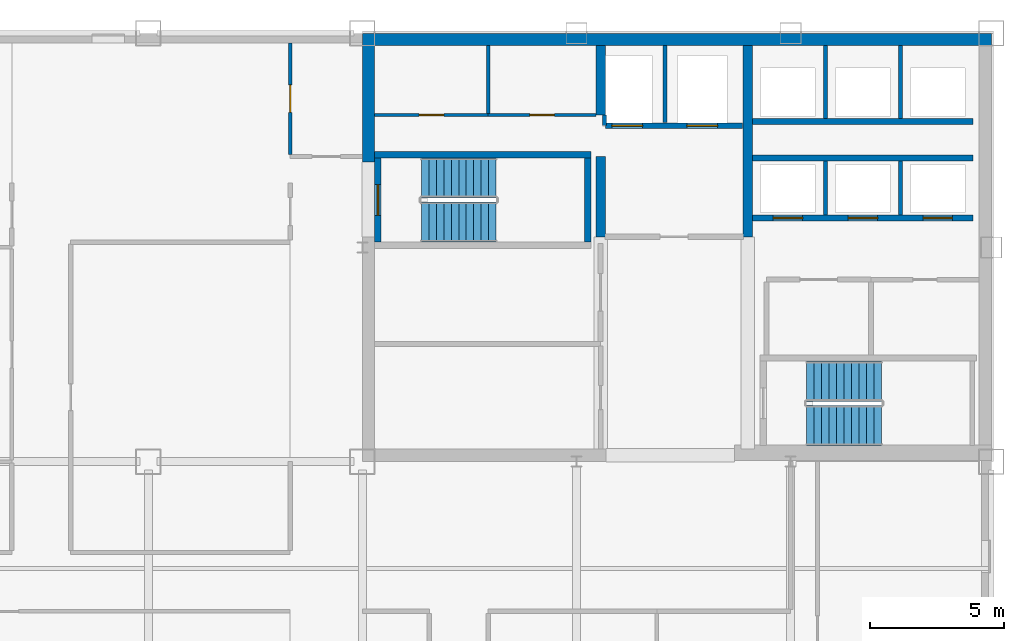
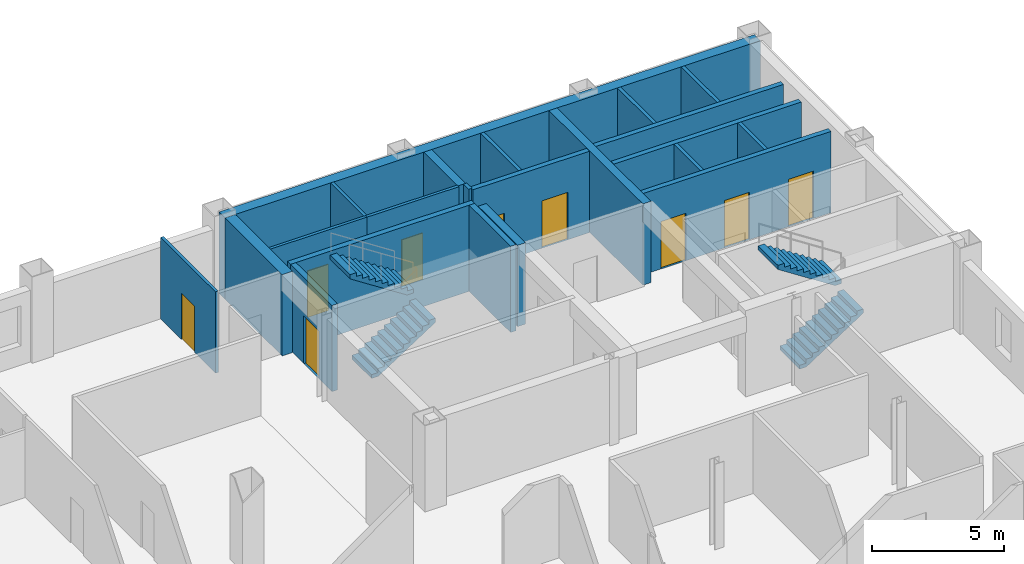
# One storey, part 6 of 10: 22 walls, 9 doors, 4 stair flights, 9 openings, 2 elements without a shape of their own.
"""IFC4 building model written with IfcOpenShell, lengths in metres."""

from ifc_helpers import new_model, si_unit, direction, frame, frame_2d, origin, place, context, subcontext, project, spatial, polyline, rectangle, outline, extrude, material, layer, layer_set, type_object, element, fill, aggregate, save


model = new_model("IFC4")

# Units and contexts
model_context = context("Model", 3, precision=1e-05, world=origin(), true_north=direction((0.0, 1.0)))
body_context = subcontext(model_context, "Body", "Model", "MODEL_VIEW")
ifc_project = project(units=[si_unit("LENGTHUNIT", "METRE"), si_unit("AREAUNIT", "SQUARE_METRE"), si_unit("VOLUMEUNIT", "CUBIC_METRE"), si_unit("PLANEANGLEUNIT", "RADIAN"), si_unit("MASSUNIT", "GRAM", prefix="KILO")], contexts=[model_context])

# Site, building, storey
site_placement = place(None, origin())
site = spatial("IfcSite", under=ifc_project, at=site_placement, CompositionType="ELEMENT")
building_placement = place(site_placement, origin())
building = spatial("IfcBuilding", under=site, at=building_placement, Name="Qianrong Seaharbour Tower", CompositionType="ELEMENT")
storey_placement = place(building_placement, frame((0.0, 0.0, 249.800048828125)))
storey = spatial("IfcBuildingStorey", under=building, at=storey_placement, Name="L60", CompositionType="ELEMENT", Elevation=249.800048828125)

# Walls
ifc_material_1 = material(Name="Concrete C60/75", Category="concrete")
ifc_layer_1 = layer(ifc_material_1, 0.4599609375)
ifc_layer_set_1 = layer_set([ifc_layer_1], Name="Concrete C60/75")
wall_type_1 = type_object("IfcWallType", Name="WALL-CORE-460", PredefinedType="SHEAR", material=ifc_layer_set_1)
wall_1_placement = place(storey_placement, frame((40.5, 51.77001953125, 0.0), z_axis=(0.0, 0.0, 1.0), x_axis=(1.0, 0.0, 0.0)))
element("IfcWall", 1, at=wall_1_placement, inside=storey, type_object=wall_type_1, Name="L60 North Core Shear Wall", PredefinedType="SHEAR", context=body_context, shape_type="SweptSolid", body=[
    extrude(rectangle(XDim=23.5, YDim=0.4599609375, at=frame_2d((11.75, 0.0))), origin(), (0.0, 0.0, 1.0), 3.77490234375),
])
wall_2_placement = place(storey_placement, frame((40.72998046875, 47.199951171875, 0.0), z_axis=(0.0, 0.0, 1.0), x_axis=(0.0, 1.0, 0.0)))
element("IfcWall", 2, at=wall_2_placement, inside=storey, type_object=wall_type_1, Name="L60 West Core Shear Wall North", PredefinedType="SHEAR", context=body_context, shape_type="SweptSolid", body=[
    extrude(rectangle(XDim=4.340087890625, YDim=0.4599609375, at=frame_2d((2.169921875, 0.0))), origin(), (0.0, 0.0, 1.0), 3.77490234375),
])
ifc_material_2 = material(Name="Concrete C50/60", Category="concrete")
ifc_layer_2 = layer(ifc_material_2, 0.35009765625)
ifc_layer_set_2 = layer_set([ifc_layer_2], Name="Concrete C50/60")
wall_type_2 = type_object("IfcWallType", Name="WALL-CORE-INT-350", PredefinedType="SHEAR", material=ifc_layer_set_2)
wall_3_placement = place(storey_placement, frame((49.39990234375, 44.39990234375, 0.0), z_axis=(0.0, 0.0, 1.0), x_axis=(0.0, 1.0, 0.0)))
element("IfcWall", 3, at=wall_3_placement, inside=storey, type_object=wall_type_2, Name="L60 Internal Core Shear Wall IW1N1", PredefinedType="SHEAR", context=body_context, shape_type="SweptSolid", body=[
    extrude(rectangle(XDim=3.0, YDim=0.35009765625, at=frame_2d((1.5, 0.0))), origin(), (0.0, 0.0, 1.0), 3.77490234375),
])
wall_4_placement = place(storey_placement, frame((49.39990234375, 48.949951171875, 0.0), z_axis=(0.0, 0.0, 1.0), x_axis=(0.0, 1.0, 0.0)))
element("IfcWall", 4, at=wall_4_placement, inside=storey, type_object=wall_type_2, Name="L60 Internal Core Shear Wall IW1N2", PredefinedType="SHEAR", context=body_context, shape_type="SweptSolid", body=[
    extrude(rectangle(XDim=2.590087890625, YDim=0.35009765625, at=frame_2d((1.294921875, 0.0))), origin(), (0.0, 0.0, 1.0), 3.77490234375),
])
wall_5_placement = place(storey_placement, frame((54.89990234375, 44.39990234375, 0.0), z_axis=(0.0, 0.0, 1.0), x_axis=(0.0, 1.0, 0.0)))
element("IfcWall", 5, at=wall_5_placement, inside=storey, type_object=wall_type_2, Name="L60 Internal Core Shear Wall IW2N", PredefinedType="SHEAR", context=body_context, shape_type="SweptSolid", body=[
    extrude(rectangle(XDim=7.14013671875, YDim=0.35009765625, at=frame_2d((3.570068359375, 0.0))), origin(), (0.0, 0.0, 1.0), 3.77490234375),
])
ifc_material_3 = material(Name="Fire-rated gypsum board on steel studs", Category="steel")
ifc_layer_3 = layer(ifc_material_3, 0.14990234375)
ifc_layer_set_3 = layer_set([ifc_layer_3], Name="Fire-rated gypsum board on steel studs")
wall_type_3 = type_object("IfcWallType", Name="WALL-SHAFT-DIV-150", PredefinedType="PARTITIONING", material=ifc_layer_set_3)
wall_6_placement = place(storey_placement, frame((51.800048828125, 48.669921875, 0.0), z_axis=(0.0, 0.0, 1.0), x_axis=(0.0, 1.0, 0.0)))
element("IfcWall", 6, at=wall_6_placement, inside=storey, type_object=wall_type_3, Name="L60 Firefighting Lift Shaft Divider Wall", PredefinedType="PARTITIONING", context=body_context, shape_type="SweptSolid", body=[
    extrude(rectangle(XDim=2.8701171875, YDim=0.14990234375, at=frame_2d((1.43505859375, 0.0))), origin(), (0.0, 0.0, 1.0), 3.77490234375),
])
wall_7_placement = place(storey_placement, frame((49.550048828125, 48.550048828125, 0.0), z_axis=(0.0, 0.0, 1.0), x_axis=(0.0, 1.0, 0.0)))
element("IfcWall", 7, at=wall_7_placement, inside=storey, type_object=wall_type_3, Name="L60 Firefighting Lift Shaft West Return Wall", PredefinedType="PARTITIONING", context=body_context, shape_type="SweptSolid", body=[
    extrude(rectangle(XDim=0.39990234375, YDim=0.14990234375, at=frame_2d((0.199951171875, 0.0))), origin(), (0.0, 0.0, 1.0), 3.77490234375),
])
for number, where, z_axis, x_axis, name in (
    (8, (57.800048828125, 45.2099609375, 0.0), (0.0, 0.0, 1.0), (0.0, 1.0, 0.0), "L60 P3 Lift Hoistway Divider 2"),
    (9, (60.60009765625, 45.2099609375, 0.0), (0.0, 0.0, 1.0), (0.0, 1.0, 0.0), "L60 P3 Lift Hoistway Divider 3"),
):
    element("IfcWall", number, at=place(storey_placement, frame(where, z_axis=z_axis, x_axis=x_axis)), inside=storey, type_object=wall_type_3, Name=name, PredefinedType="PARTITIONING", context=body_context, shape_type="SweptSolid", body=[
        extrude(rectangle(XDim=2.030029296875, YDim=0.14990234375, at=frame_2d((1.01513671875, 0.0))), origin(), (0.0, 0.0, 1.0), 3.77490234375),
    ])
for number, where, z_axis, x_axis, name in (
    (10, (57.800048828125, 48.81005859375, 0.0), (0.0, 0.0, 1.0), (0.0, 1.0, 0.0), "L60 P4 Lift Hoistway Divider 2"),
    (11, (60.60009765625, 48.81005859375, 0.0), (0.0, 0.0, 1.0), (0.0, 1.0, 0.0), "L60 P4 Lift Hoistway Divider 3"),
):
    element("IfcWall", number, at=place(storey_placement, frame(where, z_axis=z_axis, x_axis=x_axis)), inside=storey, type_object=wall_type_3, Name=name, PredefinedType="PARTITIONING", context=body_context, shape_type="SweptSolid", body=[
        extrude(rectangle(XDim=2.72998046875, YDim=0.14990234375, at=frame_2d((1.364990234375, 0.0))), origin(), (0.0, 0.0, 1.0), 3.77490234375),
    ])

# Wall, openings, doors
ifc_layer_4 = layer(ifc_material_3, 0.219970703125)
ifc_layer_set_4 = layer_set([ifc_layer_4], Name="Fire-rated gypsum board on steel studs")
wall_type_4 = type_object("IfcWallType", Name="WALL-SHAFT-GYP220", PredefinedType="PARTITIONING", material=ifc_layer_set_4)
wall_8_placement = place(storey_placement, frame((54.7099609375, 48.550048828125, 0.0), z_axis=(0.0, 0.0, 1.0), x_axis=(-1.0, 0.0, 0.0)))
wall_8 = element("IfcWall", 12, at=wall_8_placement, inside=storey, type_object=wall_type_4, Name="L60 Firefighting Lift Shaft Front Wall", PredefinedType="PARTITIONING", context=body_context, shape_type="SweptSolid", body=[
    extrude(rectangle(XDim=5.119873046875, YDim=0.219970703125, at=frame_2d((2.56005859375, 0.0))), origin(), (0.0, 0.0, 1.0), 3.77490234375),
])
opening_1_placement = place(wall_8_placement, frame((3.735107421875, 0.0, 0.0)))
opening_1 = element("IfcOpeningElement", 13, at=opening_1_placement, cuts=wall_8, Name="Opening LD-01", PredefinedType="OPENING", context=body_context, shape_type="SweptSolid", body=[
    extrude(rectangle(XDim=1.14990234375, YDim=2.199951171875, at=frame_2d((0.574951171875, 1.10009765625))), frame((0.0, 0.1201171875, 0.0), z_axis=(0.0, -1.0, 0.0), x_axis=(1.0, 0.0, 0.0)), (0.0, 0.0, 1.0), 0.239990234375),
])
opening_2_placement = place(wall_8_placement, frame((0.93505859375, 0.0, 0.0)))
opening_2 = element("IfcOpeningElement", 14, at=opening_2_placement, cuts=wall_8, Name="Opening LD-01", PredefinedType="OPENING", context=body_context, shape_type="SweptSolid", body=[
    extrude(rectangle(XDim=1.14990234375, YDim=2.199951171875, at=frame_2d((0.574951171875, 1.10009765625))), frame((0.0, 0.1201171875, 0.0), z_axis=(0.0, -1.0, 0.0), x_axis=(1.0, 0.0, 0.0)), (0.0, 0.0, 1.0), 0.239990234375),
])
ifc_material_4 = material(Name="Stainless steel SUS316L bi-parting lift landing door", Category="steel")
door_type_1 = type_object("IfcDoorType", Name="DOOR-LIFT-FF-1150x2200", OperationType="DOUBLE_DOOR_SLIDING", PredefinedType="DOOR", material=ifc_material_4)
door_1_placement = place(opening_1_placement, origin())
door_1 = element("IfcDoor", 15, at=door_1_placement, inside=storey, type_object=door_type_1, Name="L60 FL-1 Firefighting Lift Landing Door", OperationType="DOUBLE_DOOR_SLIDING", OverallHeight=2.199951171875, OverallWidth=1.14990234375, PredefinedType="DOOR", context=body_context, shape_type="SweptSolid", body=[
    extrude(rectangle(XDim=1.14990234375, YDim=2.199951171875, at=frame_2d((0.574951171875, 1.10009765625))), frame((0.0, 0.02490234375, 0.0), z_axis=(0.0, -1.0, 0.0), x_axis=(1.0, 0.0, 0.0)), (0.0, 0.0, 1.0), 0.050048828125),
])
fill(opening_1, door_1)
door_2_placement = place(opening_2_placement, origin())
door_2 = element("IfcDoor", 16, at=door_2_placement, inside=storey, type_object=door_type_1, Name="L60 FL-2 Firefighting Lift Landing Door", OperationType="DOUBLE_DOOR_SLIDING", OverallHeight=2.199951171875, OverallWidth=1.14990234375, PredefinedType="DOOR", context=body_context, shape_type="SweptSolid", body=[
    extrude(rectangle(XDim=1.14990234375, YDim=2.199951171875, at=frame_2d((0.574951171875, 1.10009765625))), frame((0.0, 0.02490234375, 0.0), z_axis=(0.0, -1.0, 0.0), x_axis=(1.0, 0.0, 0.0)), (0.0, 0.0, 1.0), 0.050048828125),
])
fill(opening_2, door_2)

wall_9_placement = place(storey_placement, frame((63.320068359375, 45.10009765625, 0.0), z_axis=(0.0, 0.0, 1.0), x_axis=(-1.0, 0.0, 0.0)))
wall_9 = element("IfcWall", 17, at=wall_9_placement, inside=storey, type_object=wall_type_4, Name="L60 P3 Lift Hoistway Front Wall", PredefinedType="PARTITIONING", context=body_context, shape_type="SweptSolid", body=[
    extrude(rectangle(XDim=8.239990234375, YDim=0.219970703125, at=frame_2d((4.1201171875, 0.0))), origin(), (0.0, 0.0, 1.0), 3.77490234375),
])
opening_3_placement = place(wall_9_placement, frame((6.3701171875, 0.0, 0.0)))
opening_3 = element("IfcOpeningElement", 18, at=opening_3_placement, cuts=wall_9, Name="Opening LD-02", PredefinedType="OPENING", context=body_context, shape_type="SweptSolid", body=[
    extrude(rectangle(XDim=1.10009765625, YDim=2.199951171875, at=frame_2d((0.550048828125, 1.10009765625))), frame((0.0, 0.1201171875, 0.0), z_axis=(0.0, -1.0, 0.0), x_axis=(1.0, 0.0, 0.0)), (0.0, 0.0, 1.0), 0.239990234375),
])
opening_4_placement = place(wall_9_placement, frame((3.570068359375, 0.0, 0.0)))
opening_4 = element("IfcOpeningElement", 19, at=opening_4_placement, cuts=wall_9, Name="Opening LD-02", PredefinedType="OPENING", context=body_context, shape_type="SweptSolid", body=[
    extrude(rectangle(XDim=1.10009765625, YDim=2.199951171875, at=frame_2d((0.550048828125, 1.10009765625))), frame((0.0, 0.1201171875, 0.0), z_axis=(0.0, -1.0, 0.0), x_axis=(1.0, 0.0, 0.0)), (0.0, 0.0, 1.0), 0.239990234375),
])
opening_5_placement = place(wall_9_placement, frame((0.77001953125, 0.0, 0.0)))
opening_5 = element("IfcOpeningElement", 20, at=opening_5_placement, cuts=wall_9, Name="Opening LD-02", PredefinedType="OPENING", context=body_context, shape_type="SweptSolid", body=[
    extrude(rectangle(XDim=1.10009765625, YDim=2.199951171875, at=frame_2d((0.550048828125, 1.10009765625))), frame((0.0, 0.1201171875, 0.0), z_axis=(0.0, -1.0, 0.0), x_axis=(1.0, 0.0, 0.0)), (0.0, 0.0, 1.0), 0.239990234375),
])
door_type_2 = type_object("IfcDoorType", Name="DOOR-LIFT-PASS-1100x2200", OperationType="DOUBLE_DOOR_SLIDING", PredefinedType="DOOR", material=ifc_material_4)
door_3_placement = place(opening_3_placement, origin())
door_3 = element("IfcDoor", 21, at=door_3_placement, inside=storey, type_object=door_type_2, Name="L60 PL-3A Lift Landing Door", OperationType="DOUBLE_DOOR_SLIDING", OverallHeight=2.199951171875, OverallWidth=1.10009765625, PredefinedType="DOOR", context=body_context, shape_type="SweptSolid", body=[
    extrude(rectangle(XDim=1.10009765625, YDim=2.199951171875, at=frame_2d((0.550048828125, 1.10009765625))), frame((0.0, 0.02490234375, 0.0), z_axis=(0.0, -1.0, 0.0), x_axis=(1.0, 0.0, 0.0)), (0.0, 0.0, 1.0), 0.050048828125),
])
fill(opening_3, door_3)
door_4_placement = place(opening_4_placement, origin())
door_4 = element("IfcDoor", 22, at=door_4_placement, inside=storey, type_object=door_type_2, Name="L60 PL-3B Lift Landing Door", OperationType="DOUBLE_DOOR_SLIDING", OverallHeight=2.199951171875, OverallWidth=1.10009765625, PredefinedType="DOOR", context=body_context, shape_type="SweptSolid", body=[
    extrude(rectangle(XDim=1.10009765625, YDim=2.199951171875, at=frame_2d((0.550048828125, 1.10009765625))), frame((0.0, 0.02490234375, 0.0), z_axis=(0.0, -1.0, 0.0), x_axis=(1.0, 0.0, 0.0)), (0.0, 0.0, 1.0), 0.050048828125),
])
fill(opening_4, door_4)
door_5_placement = place(opening_5_placement, origin())
door_5 = element("IfcDoor", 23, at=door_5_placement, inside=storey, type_object=door_type_2, Name="L60 PL-3C Lift Landing Door", OperationType="DOUBLE_DOOR_SLIDING", OverallHeight=2.199951171875, OverallWidth=1.10009765625, PredefinedType="DOOR", context=body_context, shape_type="SweptSolid", body=[
    extrude(rectangle(XDim=1.10009765625, YDim=2.199951171875, at=frame_2d((0.550048828125, 1.10009765625))), frame((0.0, 0.02490234375, 0.0), z_axis=(0.0, -1.0, 0.0), x_axis=(1.0, 0.0, 0.0)), (0.0, 0.0, 1.0), 0.050048828125),
])
fill(opening_5, door_5)

# Walls
for number, where, z_axis, x_axis, name in (
    (24, (55.080078125, 47.35009765625, 0.0), (0.0, 0.0, 1.0), (1.0, 0.0, 0.0), "L60 P3 Lift Hoistway Back Wall"),
    (25, (63.320068359375, 48.699951171875, 0.0), (0.0, 0.0, 1.0), (-1.0, 0.0, 0.0), "L60 P4 Lift Hoistway Front Wall"),
):
    element("IfcWall", number, at=place(storey_placement, frame(where, z_axis=z_axis, x_axis=x_axis)), inside=storey, type_object=wall_type_4, Name=name, PredefinedType="PARTITIONING", context=body_context, shape_type="SweptSolid", body=[
        extrude(rectangle(XDim=8.239990234375, YDim=0.219970703125, at=frame_2d((4.1201171875, 0.0))), origin(), (0.0, 0.0, 1.0), 3.77490234375),
    ])
ifc_layer_5 = layer(ifc_material_2, 0.239990234375)
ifc_layer_set_5 = layer_set([ifc_layer_5], Name="Concrete C50/60")
wall_type_5 = type_object("IfcWallType", Name="WALL-SHAFT-RC240", PredefinedType="SOLIDWALL", material=ifc_layer_set_5)
wall_10_placement = place(storey_placement, frame((40.9599609375, 47.469970703125, 0.0), z_axis=(0.0, 0.0, 1.0), x_axis=(1.0, 0.0, 0.0)))
element("IfcWall", 26, at=wall_10_placement, inside=storey, type_object=wall_type_5, Name="L60 ST-1 Structural Stair Core Wall N", PredefinedType="SOLIDWALL", context=body_context, shape_type="SweptSolid", body=[
    extrude(rectangle(XDim=8.080078125, YDim=0.239990234375, at=frame_2d((4.0400390625, 0.0))), origin(), (0.0, 0.0, 1.0), 4.0),
])

# Wall, opening, door
wall_11_placement = place(storey_placement, frame((41.080078125, 47.35009765625, 0.0), z_axis=(0.0, 0.0, 1.0), x_axis=(0.0, -1.0, 0.0)))
wall_11 = element("IfcWall", 27, at=wall_11_placement, inside=storey, type_object=wall_type_5, Name="L60 ST-1 Structural Stair Core Wall W", PredefinedType="SOLIDWALL", context=body_context, shape_type="SweptSolid", body=[
    extrude(rectangle(XDim=3.150146484375, YDim=0.239990234375, at=frame_2d((1.5751953125, 0.0))), origin(), (0.0, 0.0, 1.0), 4.0),
])
opening_6_placement = place(wall_11_placement, frame((1.0, 0.0, 0.0)))
opening_6 = element("IfcOpeningElement", 28, at=opening_6_placement, cuts=wall_11, Name="Opening SD-01", PredefinedType="OPENING", context=body_context, shape_type="SweptSolid", body=[
    extrude(rectangle(XDim=1.14990234375, YDim=2.199951171875, at=frame_2d((0.574951171875, 1.10009765625))), frame((0.0, 0.1298828125, 0.0), z_axis=(0.0, -1.0, 0.0), x_axis=(1.0, 0.0, 0.0)), (0.0, 0.0, 1.0), 0.260009765625),
])
ifc_material_5 = material(Name="Acoustic timber and galvanized steel fire door assembly", Category="steel")
door_type_3 = type_object("IfcDoorType", Name="DOOR-STAIR-FD60-1150x2200", OperationType="NOTDEFINED", PredefinedType="DOOR", material=ifc_material_5)
door_6_placement = place(opening_6_placement, origin())
door_6 = element("IfcDoor", 29, at=door_6_placement, inside=storey, type_object=door_type_3, Name="L60 ST-1 Protected Stair Door", OperationType="SINGLE_SWING_LEFT", OverallHeight=2.199951171875, OverallWidth=1.14990234375, PredefinedType="DOOR", context=body_context, shape_type="SweptSolid", body=[
    extrude(rectangle(XDim=1.14990234375, YDim=2.199951171875, at=frame_2d((0.574951171875, 1.10009765625))), frame((0.0, 0.02490234375, 0.0), z_axis=(0.0, -1.0, 0.0), x_axis=(1.0, 0.0, 0.0)), (0.0, 0.0, 1.0), 0.050048828125),
])
fill(opening_6, door_6)

# Wall
wall_12_placement = place(storey_placement, frame((48.919921875, 44.199951171875, 0.0), z_axis=(0.0, 0.0, 1.0), x_axis=(0.0, 1.0, 0.0)))
element("IfcWall", 30, at=wall_12_placement, inside=storey, type_object=wall_type_5, Name="L60 ST-1 Structural Stair Core Wall E", PredefinedType="SOLIDWALL", context=body_context, shape_type="SweptSolid", body=[
    extrude(rectangle(XDim=3.150146484375, YDim=0.239990234375, at=frame_2d((1.5751953125, 0.0))), origin(), (0.0, 0.0, 1.0), 4.0),
])

# Wall, opening, door
ifc_material_6 = material(Name="Water-resistant cement board sanitary partition")
ifc_layer_6 = layer(ifc_material_6, 0.1298828125)
ifc_layer_set_6 = layer_set([ifc_layer_6], Name="Water-resistant cement board sanitary partition")
wall_type_6 = type_object("IfcWallType", Name="WALL-WET-PART-130", PredefinedType="PARTITIONING", material=ifc_layer_set_6)
wall_13_placement = place(storey_placement, frame((37.800048828125, 47.474609375, 0.0), z_axis=(0.0, 0.0, 1.0), x_axis=(0.0, 1.0, 0.0)))
wall_13 = element("IfcWall", 31, at=wall_13_placement, inside=storey, type_object=wall_type_6, Name="L60 Interior Partition Wall 003", PredefinedType="PARTITIONING", context=body_context, shape_type="SweptSolid", body=[
    extrude(rectangle(XDim=4.17333984375, YDim=0.1298828125, at=frame_2d((2.086669921875, 0.0))), origin(), (0.0, 0.0, 1.0), 3.77490234375),
])
opening_7_placement = place(wall_13_placement, frame((1.57666015625, 0.0, 0.0)))
opening_7 = element("IfcOpeningElement", 32, at=opening_7_placement, cuts=wall_13, Name="Opening DAW-01", PredefinedType="OPENING", context=body_context, shape_type="SweptSolid", body=[
    extrude(rectangle(XDim=1.02001953125, YDim=2.14990234375, at=frame_2d((0.510009765625, 1.074951171875))), frame((0.0, 0.074951171875, 0.0), z_axis=(0.0, -1.0, 0.0), x_axis=(1.0, 0.0, 0.0)), (0.0, 0.0, 1.0), 0.14990234375),
])
door_type_4 = type_object("IfcDoorType", Name="DOOR-AWC-SLIDE-1020x2150", OperationType="SLIDING_TO_LEFT", PredefinedType="DOOR", material=ifc_material_5)
door_7_placement = place(opening_7_placement, origin())
door_7 = element("IfcDoor", 33, at=door_7_placement, inside=storey, type_object=door_type_4, Name="L60 Accessible Restroom WC Door", OperationType="SLIDING_TO_LEFT", OverallHeight=2.14990234375, OverallWidth=1.02001953125, PredefinedType="DOOR", context=body_context, shape_type="SweptSolid", body=[
    extrude(rectangle(XDim=1.02001953125, YDim=2.14990234375, at=frame_2d((0.510009765625, 1.074951171875))), frame((0.0, 0.02490234375, 0.0), z_axis=(0.0, -1.0, 0.0), x_axis=(1.0, 0.0, 0.0)), (0.0, 0.0, 1.0), 0.050048828125),
])
fill(opening_7, door_7)

wall_14_placement = place(storey_placement, frame((40.9599609375, 48.949951171875, 0.0), z_axis=(0.0, 0.0, 1.0), x_axis=(1.0, 0.0, 0.0)))
wall_14 = element("IfcWall", 34, at=wall_14_placement, inside=storey, type_object=wall_type_6, Name="L60 Interior Partition Wall 004", PredefinedType="PARTITIONING", context=body_context, shape_type="SweptSolid", body=[
    extrude(rectangle(XDim=4.239990234375, YDim=0.1298828125, at=frame_2d((2.1201171875, 0.0))), origin(), (0.0, 0.0, 1.0), 3.77490234375),
])
opening_8_placement = place(wall_14_placement, frame((1.659912109375, 0.0, 0.0)))
opening_8 = element("IfcOpeningElement", 35, at=opening_8_placement, cuts=wall_14, Name="Opening DW-01", PredefinedType="OPENING", context=body_context, shape_type="SweptSolid", body=[
    extrude(rectangle(XDim=0.919921875, YDim=2.14990234375, at=frame_2d((0.4599609375, 1.074951171875))), frame((0.0, 0.074951171875, 0.0), z_axis=(0.0, -1.0, 0.0), x_axis=(1.0, 0.0, 0.0)), (0.0, 0.0, 1.0), 0.14990234375),
])
door_type_5 = type_object("IfcDoorType", Name="DOOR-WC-920x2150", OperationType="NOTDEFINED", PredefinedType="DOOR", material=ifc_material_5)
door_8_placement = place(opening_8_placement, origin())
door_8 = element("IfcDoor", 36, at=door_8_placement, inside=storey, type_object=door_type_5, Name="L60 Male Restroom WC Door", OperationType="SINGLE_SWING_RIGHT", OverallHeight=2.14990234375, OverallWidth=0.919921875, PredefinedType="DOOR", context=body_context, shape_type="SweptSolid", body=[
    extrude(rectangle(XDim=0.919921875, YDim=2.14990234375, at=frame_2d((0.4599609375, 1.074951171875))), frame((0.0, 0.02490234375, 0.0), z_axis=(0.0, -1.0, 0.0), x_axis=(1.0, 0.0, 0.0)), (0.0, 0.0, 1.0), 0.050048828125),
])
fill(opening_8, door_8)

wall_15_placement = place(storey_placement, frame((45.199951171875, 48.949951171875, 0.0), z_axis=(0.0, 0.0, 1.0), x_axis=(1.0, 0.0, 0.0)))
wall_15 = element("IfcWall", 37, at=wall_15_placement, inside=storey, type_object=wall_type_6, Name="L60 Interior Partition Wall 005", PredefinedType="PARTITIONING", context=body_context, shape_type="SweptSolid", body=[
    extrude(rectangle(XDim=4.032958984375, YDim=0.1298828125, at=frame_2d((2.0166015625, 0.0))), origin(), (0.0, 0.0, 1.0), 3.77490234375),
])
opening_9_placement = place(wall_15_placement, frame((1.556396484375, 0.0, 0.0)))
opening_9 = element("IfcOpeningElement", 38, at=opening_9_placement, cuts=wall_15, Name="Opening DW-01", PredefinedType="OPENING", context=body_context, shape_type="SweptSolid", body=[
    extrude(rectangle(XDim=0.919921875, YDim=2.14990234375, at=frame_2d((0.4599609375, 1.074951171875))), frame((0.0, 0.074951171875, 0.0), z_axis=(0.0, -1.0, 0.0), x_axis=(1.0, 0.0, 0.0)), (0.0, 0.0, 1.0), 0.14990234375),
])
door_9_placement = place(opening_9_placement, origin())
door_9 = element("IfcDoor", 39, at=door_9_placement, inside=storey, type_object=door_type_5, Name="L60 Female Restroom WC Door", OperationType="SINGLE_SWING_LEFT", OverallHeight=2.14990234375, OverallWidth=0.919921875, PredefinedType="DOOR", context=body_context, shape_type="SweptSolid", body=[
    extrude(rectangle(XDim=0.919921875, YDim=2.14990234375, at=frame_2d((0.4599609375, 1.074951171875))), frame((0.0, 0.02490234375, 0.0), z_axis=(0.0, -1.0, 0.0), x_axis=(1.0, 0.0, 0.0)), (0.0, 0.0, 1.0), 0.050048828125),
])
fill(opening_9, door_9)

# Wall
wall_16_placement = place(storey_placement, frame((45.199951171875, 51.5400390625, 0.0), z_axis=(0.0, 0.0, 1.0), x_axis=(0.0, -1.0, 0.0)))
element("IfcWall", 40, at=wall_16_placement, inside=storey, type_object=wall_type_6, Name="L60 Interior Partition Wall 013", PredefinedType="PARTITIONING", context=body_context, shape_type="SweptSolid", body=[
    extrude(rectangle(XDim=2.532958984375, YDim=0.1298828125, at=frame_2d((1.2666015625, 0.0))), origin(), (0.0, 0.0, 1.0), 3.77490234375),
])

# Stair, stair flights
stair_type = type_object("IfcStairType", Name="STAIR-DOGLEG-1500-R22", PredefinedType="HALF_TURN_STAIR", material=ifc_material_2)
stair_1_placement = place(storey_placement, origin())
stair_1 = element("IfcStair", 41, at=stair_1_placement, inside=storey, type_object=stair_type, Name="L60 Protected Escape Stair ST-1", PredefinedType="HALF_TURN_STAIR")
stair_flight_type = type_object("IfcStairFlightType", Name="FLIGHT-STR-1500-R22", PredefinedType="STRAIGHT", material=ifc_material_2)
stair_flight_1_placement = place(storey_placement, frame((42.699951171875, 44.949951171875, 0.0), z_axis=(0.0, 0.0, 1.0), x_axis=(1.0, 0.0, 0.0)))
stair_flight_1 = element("IfcStairFlight", 42, at=stair_flight_1_placement, type_object=stair_flight_type, Name="ST-1 flight 1", NumberOfRisers=11, NumberOfTreads=10, PredefinedType="STRAIGHT", RiserHeight=0.181818182, TreadLength=0.28, context=body_context, shape_type="SweptSolid", body=[
    extrude(outline(polyline([(0.0, 0.0), (0.0, 0.181884765625), (0.280029296875, 0.181884765625), (0.280029296875, 0.363525390625), (0.56005859375, 0.363525390625), (0.56005859375, 0.54541015625), (0.840087890625, 0.54541015625), (0.840087890625, 0.727294921875), (1.1201171875, 0.727294921875), (1.1201171875, 0.9091796875), (1.39990234375, 0.9091796875), (1.39990234375, 1.0908203125), (1.679931640625, 1.0908203125), (1.679931640625, 1.272705078125), (1.9599609375, 1.272705078125), (1.9599609375, 1.45458984375), (2.239990234375, 1.45458984375), (2.239990234375, 1.636474609375), (2.52001953125, 1.636474609375), (2.52001953125, 1.818115234375), (2.800048828125, 1.818115234375), (2.800048828125, 2.0), (2.800048828125, 1.62744140625), (0.293701171875, 0.0), (0.0, 0.0)])), frame((0.0, 0.75, 0.0), z_axis=(0.0, -1.0, 0.0), x_axis=(1.0, 0.0, 0.0)), (0.0, 0.0, 1.0), 1.5),
])
stair_flight_2_placement = place(storey_placement, frame((45.5, 46.60009765625, 2.0), z_axis=(0.0, 0.0, 1.0), x_axis=(-1.0, 0.0, 0.0)))
stair_flight_2 = element("IfcStairFlight", 43, at=stair_flight_2_placement, type_object=stair_flight_type, Name="ST-1 flight 2", NumberOfRisers=11, NumberOfTreads=10, PredefinedType="STRAIGHT", RiserHeight=0.181818182, TreadLength=0.28, context=body_context, shape_type="SweptSolid", body=[
    extrude(outline(polyline([(0.0, 0.0), (0.0, 0.181884765625), (0.280029296875, 0.181884765625), (0.280029296875, 0.363525390625), (0.56005859375, 0.363525390625), (0.56005859375, 0.54541015625), (0.840087890625, 0.54541015625), (0.840087890625, 0.727294921875), (1.1201171875, 0.727294921875), (1.1201171875, 0.9091796875), (1.39990234375, 0.9091796875), (1.39990234375, 1.0908203125), (1.679931640625, 1.0908203125), (1.679931640625, 1.272705078125), (1.9599609375, 1.272705078125), (1.9599609375, 1.45458984375), (2.239990234375, 1.45458984375), (2.239990234375, 1.636474609375), (2.52001953125, 1.636474609375), (2.52001953125, 1.818115234375), (2.800048828125, 1.818115234375), (2.800048828125, 2.0), (2.800048828125, 1.62744140625), (0.293701171875, 0.0), (0.0, 0.0)])), frame((0.0, 0.75, 0.0), z_axis=(0.0, -1.0, 0.0), x_axis=(1.0, 0.0, 0.0)), (0.0, 0.0, 1.0), 1.5),
])
aggregate(stair_1, [stair_flight_1, stair_flight_2])

stair_2_placement = place(storey_placement, origin())
stair_2 = element("IfcStair", 44, at=stair_2_placement, inside=storey, type_object=stair_type, Name="L60 Protected Escape Stair ST-2", PredefinedType="HALF_TURN_STAIR")
stair_flight_3_placement = place(storey_placement, frame((57.10009765625, 37.35009765625, 0.0), z_axis=(0.0, 0.0, 1.0), x_axis=(1.0, 0.0, 0.0)))
stair_flight_3 = element("IfcStairFlight", 45, at=stair_flight_3_placement, type_object=stair_flight_type, Name="ST-2 flight 1", NumberOfRisers=11, NumberOfTreads=10, PredefinedType="STRAIGHT", RiserHeight=0.181818182, TreadLength=0.28, context=body_context, shape_type="SweptSolid", body=[
    extrude(outline(polyline([(0.0, 0.0), (0.0, 0.181884765625), (0.280029296875, 0.181884765625), (0.280029296875, 0.363525390625), (0.56005859375, 0.363525390625), (0.56005859375, 0.54541015625), (0.840087890625, 0.54541015625), (0.840087890625, 0.727294921875), (1.1201171875, 0.727294921875), (1.1201171875, 0.9091796875), (1.39990234375, 0.9091796875), (1.39990234375, 1.0908203125), (1.679931640625, 1.0908203125), (1.679931640625, 1.272705078125), (1.9599609375, 1.272705078125), (1.9599609375, 1.45458984375), (2.239990234375, 1.45458984375), (2.239990234375, 1.636474609375), (2.52001953125, 1.636474609375), (2.52001953125, 1.818115234375), (2.800048828125, 1.818115234375), (2.800048828125, 2.0), (2.800048828125, 1.62744140625), (0.293701171875, 0.0), (0.0, 0.0)])), frame((0.0, 0.75, 0.0), z_axis=(0.0, -1.0, 0.0), x_axis=(1.0, 0.0, 0.0)), (0.0, 0.0, 1.0), 1.5),
])
stair_flight_4_placement = place(storey_placement, frame((59.89990234375, 39.0, 2.0), z_axis=(0.0, 0.0, 1.0), x_axis=(-1.0, 0.0, 0.0)))
stair_flight_4 = element("IfcStairFlight", 46, at=stair_flight_4_placement, type_object=stair_flight_type, Name="ST-2 flight 2", NumberOfRisers=11, NumberOfTreads=10, PredefinedType="STRAIGHT", RiserHeight=0.181818182, TreadLength=0.28, context=body_context, shape_type="SweptSolid", body=[
    extrude(outline(polyline([(0.0, 0.0), (0.0, 0.181884765625), (0.280029296875, 0.181884765625), (0.280029296875, 0.363525390625), (0.56005859375, 0.363525390625), (0.56005859375, 0.54541015625), (0.840087890625, 0.54541015625), (0.840087890625, 0.727294921875), (1.1201171875, 0.727294921875), (1.1201171875, 0.9091796875), (1.39990234375, 0.9091796875), (1.39990234375, 1.0908203125), (1.679931640625, 1.0908203125), (1.679931640625, 1.272705078125), (1.9599609375, 1.272705078125), (1.9599609375, 1.45458984375), (2.239990234375, 1.45458984375), (2.239990234375, 1.636474609375), (2.52001953125, 1.636474609375), (2.52001953125, 1.818115234375), (2.800048828125, 1.818115234375), (2.800048828125, 2.0), (2.800048828125, 1.62744140625), (0.293701171875, 0.0), (0.0, 0.0)])), frame((0.0, 0.75, 0.0), z_axis=(0.0, -1.0, 0.0), x_axis=(1.0, 0.0, 0.0)), (0.0, 0.0, 1.0), 1.5),
])
aggregate(stair_2, [stair_flight_3, stair_flight_4])

save(model, "model.ifc")
